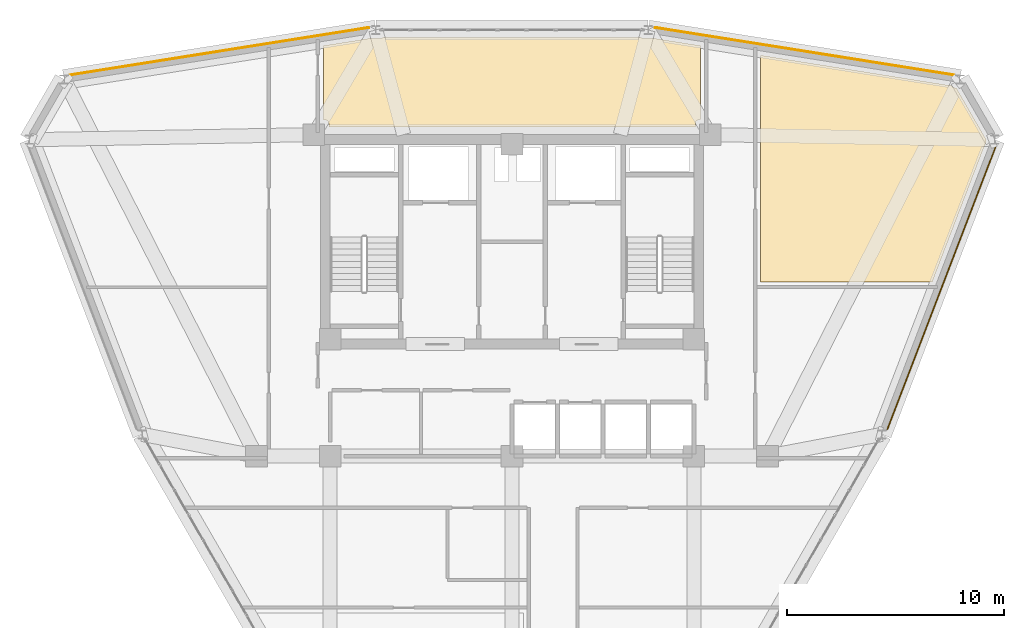
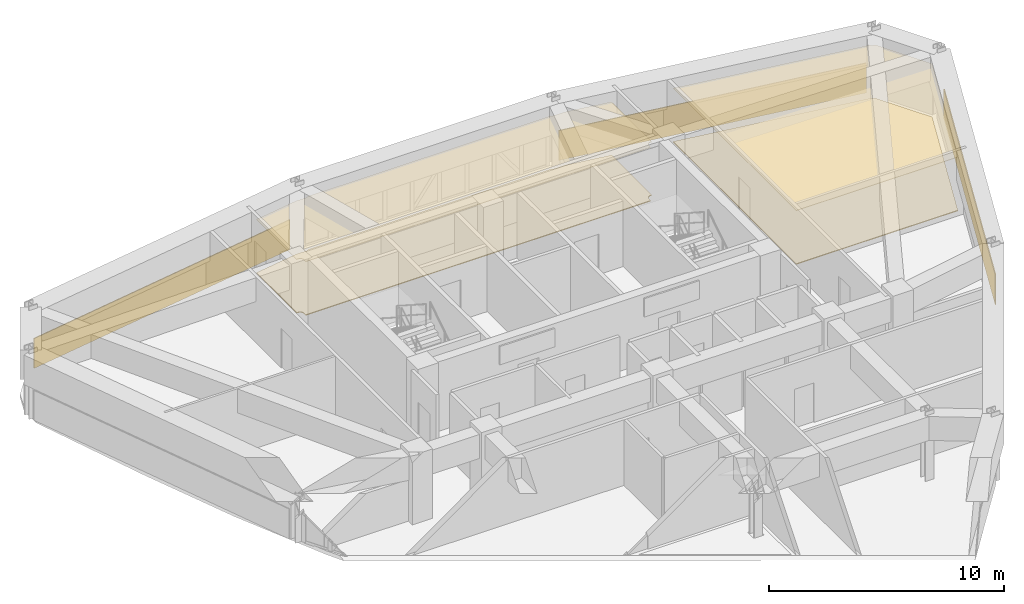
# One storey, part 14 of 14: 7 coverings.
"""IFC4 building model written with IfcOpenShell, lengths in metres."""

from ifc_helpers import new_model, si_unit, derived_unit, direction, frame, origin, place, context, subcontext, project, spatial, polyline, outline, extrude, material, layer, layer_set, type_object, element, save


model = new_model("IFC4")

# Units and contexts
model_context = context("Model", 3, precision=1e-05, world=origin(), true_north=direction((0.0, 1.0)))
body_context = subcontext(model_context, "Body", "Model", "MODEL_VIEW")
ifc_project = project(units=[si_unit("LENGTHUNIT", "METRE"), si_unit("AREAUNIT", "SQUARE_METRE"), si_unit("VOLUMEUNIT", "CUBIC_METRE"), si_unit("PLANEANGLEUNIT", "RADIAN"), si_unit("MASSUNIT", "GRAM", prefix="KILO"), derived_unit("THERMALTRANSMITTANCEUNIT", [(si_unit("POWERUNIT", "WATT"), 1), (si_unit("LENGTHUNIT", "METRE"), -2), (si_unit("THERMODYNAMICTEMPERATUREUNIT", "KELVIN"), -1)])], contexts=[model_context])

# Site, building, storey
site_placement = place(None, origin())
site = spatial("IfcSite", under=ifc_project, at=site_placement, CompositionType="ELEMENT")
building_placement = place(site_placement, origin())
building = spatial("IfcBuilding", under=site, at=building_placement, Name="Korsvarv Bourse and Concert Hall", CompositionType="ELEMENT")
storey_placement = place(building_placement, frame((0.0, 0.0, 186.60009765625)))
storey = spatial("IfcBuildingStorey", under=building, at=storey_placement, Name="L48", CompositionType="ELEMENT", Elevation=186.60009765625)

# Coverings
ifc_material_1 = material(Name="Perforated mineral-wool and birch acoustic baffle ceiling", Category="wood")
ifc_layer_1 = layer(ifc_material_1, 0.02490234375)
ifc_layer_set_1 = layer_set([ifc_layer_1], Name="Perforated mineral-wool and birch acoustic baffle ceiling")
covering_type_1 = type_object("IfcCoveringType", Name="COV-CEIL-1", PredefinedType="CEILING", material=ifc_layer_set_1)
covering_1_placement = place(storey_placement, frame((0.0, 0.0, 2.77978515625)))
element("IfcCovering", 1, at=covering_1_placement, inside=storey, type_object=covering_type_1, Name="L48 acoustic baffle ceiling 1", PredefinedType="CEILING", context=body_context, shape_type="SweptSolid", body=[
    extrude(outline(polyline([(56.311767578125, 49.5029296875), (56.332275390625, 49.47314453125), (56.358154296875, 49.447998046875), (56.388671875, 49.4287109375), (56.42236328125, 49.415771484375), (56.4580078125, 49.409912109375), (56.51611328125, 49.406005859375), (57.897216796875, 47.013671875), (57.897216796875, 46.9375), (55.409423828125, 40.449951171875), (47.47998046875, 40.449951171875), (47.47998046875, 50.9140625), (56.311767578125, 49.5029296875)])), origin(), (0.0, 0.0, 1.0), 0.025146484375),
])
covering_2_placement = place(storey_placement, frame((0.0, 0.0, 2.77978515625)))
element("IfcCovering", 2, at=covering_2_placement, inside=storey, type_object=covering_type_1, Name="L48 acoustic baffle ceiling 2", PredefinedType="CEILING", context=body_context, shape_type="SweptSolid", body=[
    extrude(outline(polyline([(29.45361328125, 51.697265625), (29.477783203125, 51.6923828125), (29.91064453125, 51.684326171875), (29.947021484375, 51.6875), (29.981689453125, 51.69775390625), (30.013916015625, 51.71484375), (30.0419921875, 51.738037109375), (41.9541015625, 51.7421875), (41.97412109375, 51.726318359375), (42.00439453125, 51.709228515625), (42.03759765625, 51.698486328125), (42.072021484375, 51.6943359375), (42.488037109375, 51.684326171875), (42.52294921875, 51.68701171875), (42.555419921875, 51.69580078125), (44.7099609375, 51.353759765625), (44.7099609375, 47.93994140625), (44.64990234375, 47.93994140625), (44.615478515625, 47.936767578125), (44.582275390625, 47.9267578125), (44.5517578125, 47.910888671875), (44.524658203125, 47.88916015625), (44.502197265625, 47.86279296875), (44.4853515625, 47.83251953125), (44.474365234375, 47.799560546875), (44.47021484375, 47.765380859375), (44.465087890625, 47.60009765625), (27.5400390625, 47.60009765625), (27.5400390625, 47.75), (27.53662109375, 47.7841796875), (27.527099609375, 47.817138671875), (27.510986328125, 47.84765625), (27.48974609375, 47.874755859375), (27.463623046875, 47.897216796875), (27.433837890625, 47.914306640625), (27.4013671875, 47.92529296875), (27.3671875, 47.929931640625), (27.2900390625, 47.932861328125), (27.2900390625, 51.353759765625), (29.45361328125, 51.697265625)])), origin(), (0.0, 0.0, 1.0), 0.025146484375),
])
ifc_material_2 = material(Name="Warm iron-oxide extruded terracotta rainscreen tile", Category="ceramic")
ifc_layer_2 = layer(ifc_material_2, 0.044921875)
ifc_layer_set_2 = layer_set([ifc_layer_2], Name="Warm iron-oxide extruded terracotta rainscreen tile")
covering_type_2 = type_object("IfcCoveringType", Name="COV-CLD-TC", PredefinedType="CLADDING", material=ifc_layer_set_2)
covering_3_placement = place(storey_placement, origin())
element("IfcCovering", 3, at=covering_3_placement, inside=storey, type_object=covering_type_2, Name="L48 fluted terracotta cladding panel EW-L48-B02", PredefinedType="CLADDING", context=body_context, shape_type="SweptSolid", body=[
    extrude(outline(polyline([(56.416748046875, 49.976318359375), (42.597412109375, 52.170166015625), (42.6044921875, 52.214599609375), (56.423828125, 50.020751953125), (56.416748046875, 49.976318359375)])), origin(), (0.0, 0.0, 1.0), 1.5498046875),
])
covering_4_placement = place(storey_placement, origin())
element("IfcCovering", 4, at=covering_4_placement, inside=storey, type_object=covering_type_2, Name="L48 fluted terracotta cladding panel EW-L48-B04", PredefinedType="CLADDING", context=body_context, shape_type="SweptSolid", body=[
    extrude(outline(polyline([(29.402587890625, 52.170166015625), (15.583251953125, 49.976318359375), (15.576171875, 50.020751953125), (29.3955078125, 52.214599609375), (29.402587890625, 52.170166015625)])), origin(), (0.0, 0.0, 1.0), 1.5498046875),
])
covering_5_placement = place(storey_placement, origin())
element("IfcCovering", 5, at=covering_5_placement, inside=storey, type_object=covering_type_2, Name="L48 fluted terracotta cladding panel EW-L48-B12", PredefinedType="CLADDING", context=body_context, shape_type="SweptSolid", body=[
    extrude(outline(polyline([(53.308837890625, 33.64501953125), (58.305908203125, 46.677001953125), (58.347900390625, 46.660888671875), (53.350830078125, 33.628662109375), (53.308837890625, 33.64501953125)])), origin(), (0.0, 0.0, 1.0), 1.5498046875),
])
ifc_material_3 = material(Name="Calcium-sulphate raised access trading floor with Nordic oak top", Category="wood")
ifc_layer_3 = layer(ifc_material_3, 0.0400390625)
ifc_layer_set_3 = layer_set([ifc_layer_3], Name="Calcium-sulphate raised access trading floor with Nordic oak top")
covering_type_3 = type_object("IfcCoveringType", Name="COV-FLOR-1", PredefinedType="FLOORING", material=ifc_layer_set_3)
covering_6_placement = place(storey_placement, origin())
element("IfcCovering", 6, at=covering_6_placement, inside=storey, type_object=covering_type_3, Name="L48 raised access oak floor finish 1", PredefinedType="FLOORING", context=body_context, shape_type="SweptSolid", body=[
    extrude(outline(polyline([(56.311767578125, 49.5029296875), (56.332275390625, 49.47314453125), (56.358154296875, 49.447998046875), (56.388671875, 49.4287109375), (56.42236328125, 49.415771484375), (56.4580078125, 49.409912109375), (56.51611328125, 49.406005859375), (57.897216796875, 47.013671875), (57.897216796875, 46.9375), (55.409423828125, 40.449951171875), (47.47998046875, 40.449951171875), (47.47998046875, 50.9140625), (56.311767578125, 49.5029296875)])), origin(), (0.0, 0.0, 1.0), 0.039794921875),
])
covering_7_placement = place(storey_placement, origin())
element("IfcCovering", 7, at=covering_7_placement, inside=storey, type_object=covering_type_3, Name="L48 raised access oak floor finish 2", PredefinedType="FLOORING", context=body_context, shape_type="SweptSolid", body=[
    extrude(outline(polyline([(29.45361328125, 51.697265625), (29.477783203125, 51.6923828125), (29.91064453125, 51.684326171875), (29.947021484375, 51.6875), (29.981689453125, 51.69775390625), (30.013916015625, 51.71484375), (30.0419921875, 51.738037109375), (41.9541015625, 51.7421875), (41.97412109375, 51.726318359375), (42.00439453125, 51.709228515625), (42.03759765625, 51.698486328125), (42.072021484375, 51.6943359375), (42.488037109375, 51.684326171875), (42.52294921875, 51.68701171875), (42.555419921875, 51.69580078125), (44.7099609375, 51.353759765625), (44.7099609375, 47.93994140625), (44.64990234375, 47.93994140625), (44.615478515625, 47.936767578125), (44.582275390625, 47.9267578125), (44.5517578125, 47.910888671875), (44.524658203125, 47.88916015625), (44.502197265625, 47.86279296875), (44.4853515625, 47.83251953125), (44.474365234375, 47.799560546875), (44.47021484375, 47.765380859375), (44.465087890625, 47.60009765625), (27.5400390625, 47.60009765625), (27.5400390625, 47.75), (27.53662109375, 47.7841796875), (27.527099609375, 47.817138671875), (27.510986328125, 47.84765625), (27.48974609375, 47.874755859375), (27.463623046875, 47.897216796875), (27.433837890625, 47.914306640625), (27.4013671875, 47.92529296875), (27.3671875, 47.929931640625), (27.2900390625, 47.932861328125), (27.2900390625, 51.353759765625), (29.45361328125, 51.697265625)])), origin(), (0.0, 0.0, 1.0), 0.039794921875),
])

save(model, "model.ifc")
